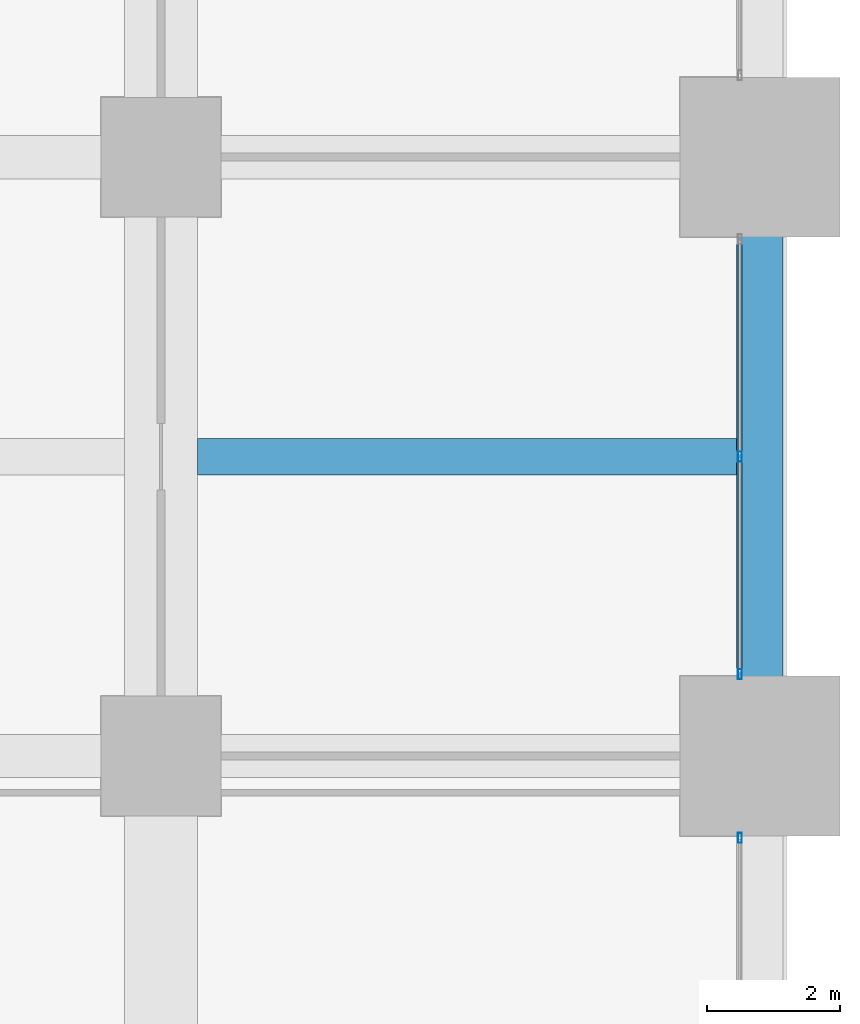
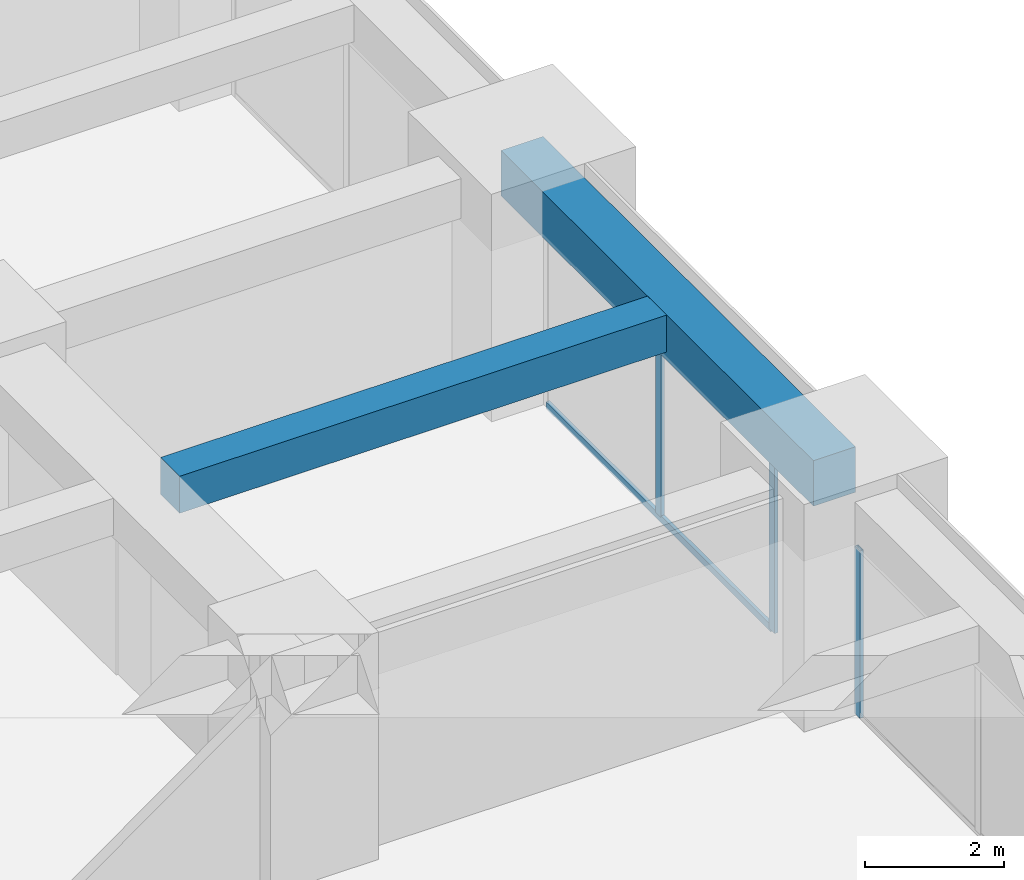
# One storey, part 21 of 40: 4 members, 2 beams, 2 elements without a shape of their own.
"""IFC4 building model written with IfcOpenShell, lengths in metres."""

from ifc_helpers import new_model, si_unit, direction, frame, origin, origin_2d, place, context, subcontext, project, spatial, rectangle, hollow_rectangle, extrude, material, material_profile, profile_set, type_object, element, aggregate, save


model = new_model("IFC4")

# Units and contexts
model_context = context("Model", 3, precision=1e-05, world=origin(), true_north=direction((0.0, 1.0)))
body_context = subcontext(model_context, "Body", "Model", "MODEL_VIEW")
ifc_project = project(units=[si_unit("LENGTHUNIT", "METRE"), si_unit("AREAUNIT", "SQUARE_METRE"), si_unit("VOLUMEUNIT", "CUBIC_METRE"), si_unit("PLANEANGLEUNIT", "RADIAN"), si_unit("MASSUNIT", "GRAM", prefix="KILO")], contexts=[model_context])

# Site, building, storey
site_placement = place(None, origin())
site = spatial("IfcSite", under=ifc_project, at=site_placement, CompositionType="ELEMENT")
building_placement = place(site_placement, origin())
building = spatial("IfcBuilding", under=site, at=building_placement, Name="Zorevar Civic Tower", CompositionType="ELEMENT")
storey_placement = place(building_placement, frame((0.0, 0.0, 133.0)))
storey = spatial("IfcBuildingStorey", under=building, at=storey_placement, Name="L32", CompositionType="ELEMENT", Elevation=133.0)

# Beam
ifc_material_1 = material(Name="Concrete C50/60", Category="concrete")
ifc_material_profile_1 = material_profile(ifc_material_1, rectangle(XDim=0.550048828125, YDim=0.64990234375, at=origin_2d()), Name="RC 550x650")
ifc_profile_set_1 = profile_set([ifc_material_profile_1], Name="Concrete C50/60")
beam_type_1 = type_object("IfcBeamType", Name="Beam RC 550x650", PredefinedType="BEAM", material=ifc_profile_set_1)
beam_1_placement = place(storey_placement, frame((54.550048828125, 22.5, 3.425048828125), z_axis=(1.0, 0.0, 0.0), x_axis=(0.0, 1.0, 0.0)))
element("IfcBeam", 1, at=beam_1_placement, inside=storey, type_object=beam_type_1, Name="Secondary beam L33", PredefinedType="BEAM", context=body_context, shape_type="SweptSolid", body=[
    extrude(rectangle(XDim=0.550048828125, YDim=0.64990234375, at=origin_2d()), origin(), (0.0, 0.0, 1.0), 8.099853515625),
])

# Curtain wall, member
ifc_material_2 = material(Name="Dark grey solar-control glass in black aluminium frame", Category="aluminium")
curtain_wall_type = type_object("IfcCurtainWallType", Name="Curtain wall CW3 mid zone", PredefinedType="NOTDEFINED", material=ifc_material_2)
curtain_wall_1_placement = place(storey_placement, origin())
curtain_wall_1 = element("IfcCurtainWall", 2, at=curtain_wall_1_placement, inside=storey, type_object=curtain_wall_type, Name="CW3 L32", PredefinedType="NOTDEFINED")
ifc_material_3 = material(Name="Aluminium, black anodised", Category="aluminium")
ifc_material_profile_2 = material_profile(ifc_material_3, hollow_rectangle(XDim=0.06005859375, YDim=0.14990234375, WallThickness=0.00390625, at=origin_2d()), Name="AL 150x60x4")
ifc_profile_set_2 = profile_set([ifc_material_profile_2], Name="Aluminium, black anodised")
member_type_1 = type_object("IfcMemberType", Name="CW3 mullion AL 150x60x4", PredefinedType="MULLION", material=ifc_profile_set_2)
member_1_placement = place(storey_placement, frame((62.699951171875, 16.77001953125, 0.0), z_axis=(0.0, 0.0, 1.0), x_axis=(-1.0, 0.0, 0.0)))
member_1 = element("IfcMember", 3, at=member_1_placement, type_object=member_type_1, Name="CW3 mullion 3", PredefinedType="MULLION", context=body_context, shape_type="SweptSolid", body=[
    extrude(hollow_rectangle(XDim=0.06005859375, YDim=0.14990234375, WallThickness=0.00390625, at=origin_2d()), origin(), (0.0, 0.0, 1.0), 2.949951171875),
])
aggregate(curtain_wall_1, [member_1])

# Curtain wall, members
curtain_wall_2_placement = place(storey_placement, origin())
curtain_wall_2 = element("IfcCurtainWall", 4, at=curtain_wall_2_placement, inside=storey, type_object=curtain_wall_type, Name="CW3 L32", PredefinedType="NOTDEFINED")
member_2_placement = place(storey_placement, frame((62.699951171875, 19.22998046875, 0.0), z_axis=(0.0, 0.0, 1.0), x_axis=(-1.0, 0.0, 0.0)))
member_2 = element("IfcMember", 5, at=member_2_placement, type_object=member_type_1, Name="CW3 mullion 1", PredefinedType="MULLION", context=body_context, shape_type="SweptSolid", body=[
    extrude(hollow_rectangle(XDim=0.06005859375, YDim=0.14990234375, WallThickness=0.00390625, at=origin_2d()), origin(), (0.0, 0.0, 1.0), 2.949951171875),
])
member_3_placement = place(storey_placement, frame((62.699951171875, 22.5, 0.06005859375), z_axis=(0.0, 0.0, 1.0), x_axis=(-1.0, 0.0, 0.0)))
member_3 = element("IfcMember", 6, at=member_3_placement, type_object=member_type_1, Name="CW3 mullion 2", PredefinedType="MULLION", context=body_context, shape_type="SweptSolid", body=[
    extrude(hollow_rectangle(XDim=0.06005859375, YDim=0.14990234375, WallThickness=0.00390625, at=origin_2d()), origin(), (0.0, 0.0, 1.0), 2.889892578125),
])
ifc_material_4 = material(Name="Aluminium, black anodised", Category="aluminium")
ifc_material_profile_3 = material_profile(ifc_material_4, hollow_rectangle(XDim=0.06005859375, YDim=0.1201171875, WallThickness=0.0029296875, at=origin_2d()), Name="AL 120x60x3")
ifc_profile_set_3 = profile_set([ifc_material_profile_3], Name="Aluminium, black anodised")
member_type_2 = type_object("IfcMemberType", Name="CW3 transom AL 120x60x3", PredefinedType="USERDEFINED", material=ifc_profile_set_3)
member_4_placement = place(storey_placement, frame((62.699951171875, 19.260009765625, 0.030029296875), z_axis=(0.0, 1.0, 0.0), x_axis=(-1.0, 0.0, 0.0)))
member_4 = element("IfcMember", 7, at=member_4_placement, type_object=member_type_2, Name="CW3 sill transom", ObjectType="TRANSOM", PredefinedType="USERDEFINED", context=body_context, shape_type="SweptSolid", body=[
    extrude(hollow_rectangle(XDim=0.06005859375, YDim=0.1201171875, WallThickness=0.0029296875, at=origin_2d()), origin(), (0.0, 0.0, 1.0), 6.47998046875),
])
aggregate(curtain_wall_2, [member_2, member_3, member_4])

# Beam
ifc_material_5 = material(Name="Concrete C50/60", Category="concrete")
ifc_material_profile_4 = material_profile(ifc_material_5, rectangle(XDim=0.699951171875, YDim=0.800048828125, at=origin_2d()), Name="RC 700x800")
ifc_profile_set_4 = profile_set([ifc_material_profile_4], Name="Concrete C50/60")
beam_type_2 = type_object("IfcBeamType", Name="Edge beam RC 700x800", PredefinedType="SPANDREL", material=ifc_profile_set_4)
beam_2_placement = place(storey_placement, frame((63.0, 18.0, 3.35009765625), z_axis=(0.0, 1.0, 0.0), x_axis=(-1.0, 0.0, 0.0)))
element("IfcBeam", 8, at=beam_2_placement, inside=storey, type_object=beam_type_2, Name="Edge beam L33", PredefinedType="SPANDREL", context=body_context, shape_type="SweptSolid", body=[
    extrude(rectangle(XDim=0.699951171875, YDim=0.800048828125, at=origin_2d()), origin(), (0.0, 0.0, 1.0), 9.0),
])

save(model, "model.ifc")
